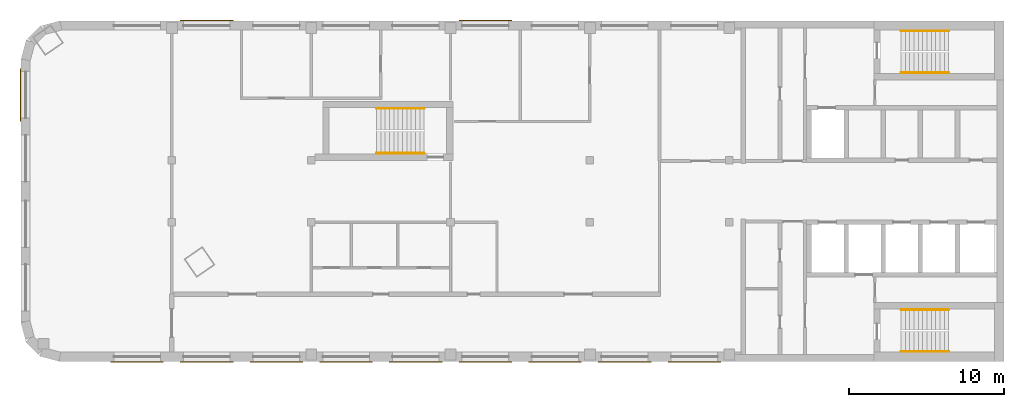
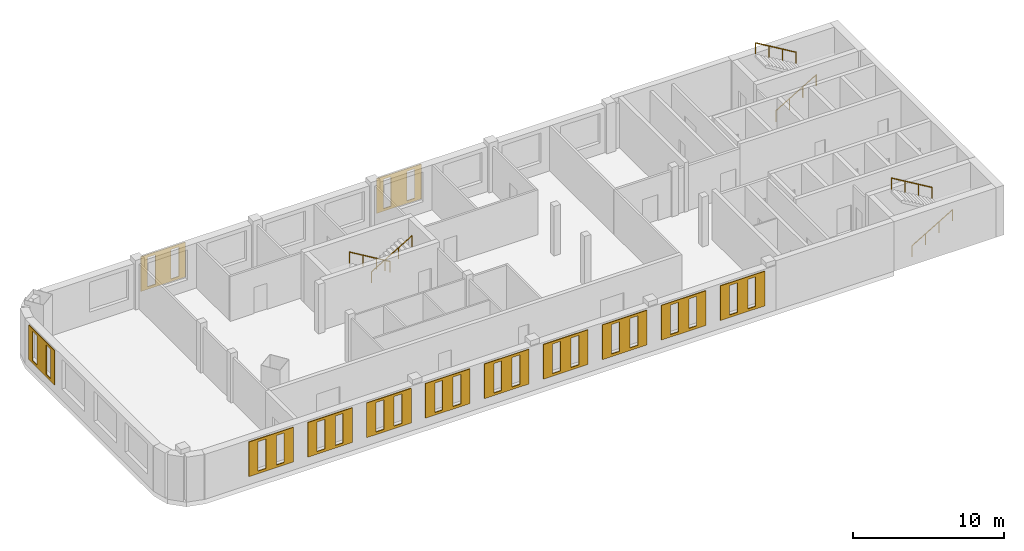
# One storey, part 5 of 5: 12 coverings, 6 railings.
"""IFC4 building model written with IfcOpenShell, lengths in metres."""

from ifc_helpers import new_model, si_unit, direction, frame, origin, origin_2d, place, context, subcontext, project, spatial, polyline, circle, outline, extrude, material, material_profile, profile_set, type_object, element, save


model = new_model("IFC4")

# Units and contexts
model_context = context("Model", 3, precision=1e-05, world=origin(), true_north=direction((0.0, 1.0)))
body_context = subcontext(model_context, "Body", "Model", "MODEL_VIEW")
ifc_project = project(units=[si_unit("LENGTHUNIT", "METRE"), si_unit("AREAUNIT", "SQUARE_METRE"), si_unit("VOLUMEUNIT", "CUBIC_METRE"), si_unit("PLANEANGLEUNIT", "RADIAN"), si_unit("MASSUNIT", "GRAM", prefix="KILO")], contexts=[model_context])

# Site, building, storey
site_placement = place(None, origin())
site = spatial("IfcSite", under=ifc_project, at=site_placement, CompositionType="ELEMENT")
building_placement = place(site_placement, origin())
building = spatial("IfcBuilding", under=site, at=building_placement, Name="Skarvind Civic Tower", CompositionType="ELEMENT")
storey_placement = place(building_placement, frame((0.0, 0.0, 257.5)))
storey = spatial("IfcBuildingStorey", under=building, at=storey_placement, Name="L61", CompositionType="ELEMENT", Elevation=257.5)

# Railings
ifc_material_1 = material(Name="Painted steel handrail", Category="steel")
railing_type = type_object("IfcRailingType", Name="Stair handrail 900", PredefinedType="HANDRAIL", material=ifc_material_1)
railing_1_placement = place(storey_placement, frame((101.35009765625, 135.64990234375, 0.166748046875)))
element("IfcRailing", 1, at=railing_1_placement, inside=storey, type_object=railing_type, Name="Stair handrail", PredefinedType="HANDRAIL", context=body_context, shape_type="SweptSolid", body=[
    extrude(circle(Radius=0.02392578125, at=origin_2d()), frame((0.0, 0.0, 0.8759765625), z_axis=(0.859290745958, 0.0, 0.51148745235), x_axis=(0.0, 1.0, 0.0)), (0.0, 0.0, 1.0), 3.584228515625),
    extrude(circle(Radius=0.02099609375, at=origin_2d()), origin(), (0.0, 0.0, 1.0), 0.851806640625),
    extrude(circle(Radius=0.02099609375, at=origin_2d()), frame((1.026611328125, 0.0, 0.611083984375)), (0.0, 0.0, 1.0), 0.851806640625),
    extrude(circle(Radius=0.02099609375, at=origin_2d()), frame((2.05322265625, 0.0, 1.22216796875)), (0.0, 0.0, 1.0), 0.851806640625),
    extrude(circle(Radius=0.02099609375, at=origin_2d()), frame((3.079833984375, 0.0, 1.833251953125)), (0.0, 0.0, 1.0), 0.851806640625),
])
railing_2_placement = place(storey_placement, frame((104.429931640625, 138.35009765625, 2.166748046875)))
element("IfcRailing", 2, at=railing_2_placement, inside=storey, type_object=railing_type, Name="Stair handrail", PredefinedType="HANDRAIL", context=body_context, shape_type="SweptSolid", body=[
    extrude(circle(Radius=0.02392578125, at=origin_2d()), frame((0.0, 0.0, 0.8759765625), z_axis=(-0.859290745958, 0.0, 0.51148745235), x_axis=(0.0, -1.0, 0.0)), (0.0, 0.0, 1.0), 3.584228515625),
    extrude(circle(Radius=0.02099609375, at=origin_2d()), origin(), (0.0, 0.0, 1.0), 0.851806640625),
    extrude(circle(Radius=0.02099609375, at=origin_2d()), frame((-1.026611328125, 0.0, 0.611083984375)), (0.0, 0.0, 1.0), 0.851806640625),
    extrude(circle(Radius=0.02099609375, at=origin_2d()), frame((-2.05322265625, 0.0, 1.22216796875)), (0.0, 0.0, 1.0), 0.851806640625),
    extrude(circle(Radius=0.02099609375, at=origin_2d()), frame((-3.079833984375, 0.0, 1.833251953125)), (0.0, 0.0, 1.0), 0.851806640625),
])
railing_3_placement = place(storey_placement, frame((101.35009765625, 117.64990234375, 0.166748046875)))
element("IfcRailing", 3, at=railing_3_placement, inside=storey, type_object=railing_type, Name="Stair handrail", PredefinedType="HANDRAIL", context=body_context, shape_type="SweptSolid", body=[
    extrude(circle(Radius=0.02392578125, at=origin_2d()), frame((0.0, 0.0, 0.8759765625), z_axis=(0.859290745958, 0.0, 0.51148745235), x_axis=(0.0, 1.0, 0.0)), (0.0, 0.0, 1.0), 3.584228515625),
    extrude(circle(Radius=0.02099609375, at=origin_2d()), origin(), (0.0, 0.0, 1.0), 0.851806640625),
    extrude(circle(Radius=0.02099609375, at=origin_2d()), frame((1.026611328125, 0.0, 0.611083984375)), (0.0, 0.0, 1.0), 0.851806640625),
    extrude(circle(Radius=0.02099609375, at=origin_2d()), frame((2.05322265625, 0.0, 1.22216796875)), (0.0, 0.0, 1.0), 0.851806640625),
    extrude(circle(Radius=0.02099609375, at=origin_2d()), frame((3.079833984375, 0.0, 1.833251953125)), (0.0, 0.0, 1.0), 0.851806640625),
])
railing_4_placement = place(storey_placement, frame((104.429931640625, 120.35009765625, 2.166748046875)))
element("IfcRailing", 4, at=railing_4_placement, inside=storey, type_object=railing_type, Name="Stair handrail", PredefinedType="HANDRAIL", context=body_context, shape_type="SweptSolid", body=[
    extrude(circle(Radius=0.02392578125, at=origin_2d()), frame((0.0, 0.0, 0.8759765625), z_axis=(-0.859290745958, 0.0, 0.51148745235), x_axis=(0.0, -1.0, 0.0)), (0.0, 0.0, 1.0), 3.584228515625),
    extrude(circle(Radius=0.02099609375, at=origin_2d()), origin(), (0.0, 0.0, 1.0), 0.851806640625),
    extrude(circle(Radius=0.02099609375, at=origin_2d()), frame((-1.026611328125, 0.0, 0.611083984375)), (0.0, 0.0, 1.0), 0.851806640625),
    extrude(circle(Radius=0.02099609375, at=origin_2d()), frame((-2.05322265625, 0.0, 1.22216796875)), (0.0, 0.0, 1.0), 0.851806640625),
    extrude(circle(Radius=0.02099609375, at=origin_2d()), frame((-3.079833984375, 0.0, 1.833251953125)), (0.0, 0.0, 1.0), 0.851806640625),
])
railing_5_placement = place(storey_placement, frame((70.550048828125, 133.35009765625, 0.166748046875)))
element("IfcRailing", 5, at=railing_5_placement, inside=storey, type_object=railing_type, Name="Stair handrail", PredefinedType="HANDRAIL", context=body_context, shape_type="SweptSolid", body=[
    extrude(circle(Radius=0.02392578125, at=origin_2d()), frame((0.0, 0.0, 0.8759765625), z_axis=(-0.859308565015, 0.0, 0.511457515432), x_axis=(0.0, -1.0, 0.0)), (0.0, 0.0, 1.0), 3.58447265625),
    extrude(circle(Radius=0.02099609375, at=origin_2d()), origin(), (0.0, 0.0, 1.0), 0.851806640625),
    extrude(circle(Radius=0.02099609375, at=origin_2d()), frame((-1.026611328125, 0.0, 0.611083984375)), (0.0, 0.0, 1.0), 0.851806640625),
    extrude(circle(Radius=0.02099609375, at=origin_2d()), frame((-2.053466796875, 0.0, 1.22216796875)), (0.0, 0.0, 1.0), 0.851806640625),
    extrude(circle(Radius=0.02099609375, at=origin_2d()), frame((-3.080078125, 0.0, 1.833251953125)), (0.0, 0.0, 1.0), 0.851806640625),
])
railing_6_placement = place(storey_placement, frame((67.469970703125, 130.449951171875, 2.166748046875)))
element("IfcRailing", 6, at=railing_6_placement, inside=storey, type_object=railing_type, Name="Stair handrail", PredefinedType="HANDRAIL", context=body_context, shape_type="SweptSolid", body=[
    extrude(circle(Radius=0.02392578125, at=origin_2d()), frame((0.0, 0.0, 0.8759765625), z_axis=(0.859308565015, 0.0, 0.511457515432), x_axis=(0.0, 1.0, 0.0)), (0.0, 0.0, 1.0), 3.58447265625),
    extrude(circle(Radius=0.02099609375, at=origin_2d()), origin(), (0.0, 0.0, 1.0), 0.851806640625),
    extrude(circle(Radius=0.02099609375, at=origin_2d()), frame((1.026611328125, 0.0, 0.611083984375)), (0.0, 0.0, 1.0), 0.851806640625),
    extrude(circle(Radius=0.02099609375, at=origin_2d()), frame((2.053466796875, 0.0, 1.22216796875)), (0.0, 0.0, 1.0), 0.851806640625),
    extrude(circle(Radius=0.02099609375, at=origin_2d()), frame((3.080078125, 0.0, 1.833251953125)), (0.0, 0.0, 1.0), 0.851806640625),
])

# Coverings
ifc_material_2 = material(Name="Terracotta", Category="masonry")
ifc_material_profile_1 = material_profile(ifc_material_2, outline(polyline([(-1.699951171875, -1.39990234375), (1.699951171875, -1.39990234375), (1.699951171875, 1.39990234375), (-1.699951171875, 1.39990234375), (-1.699951171875, -1.39990234375)]), holes=[polyline([(-1.0, -1.18994140625), (-0.39990234375, -1.18994140625), (-0.39990234375, 1.18994140625), (-1.0, 1.18994140625), (-1.0, -1.18994140625)]), polyline([(0.39990234375, -1.18994140625), (1.0, -1.18994140625), (1.0, 1.18994140625), (0.39990234375, 1.18994140625), (0.39990234375, -1.18994140625)])]), Name="TERRACOTTA SCREEN 3400 x 2800, SLIT PITCH 1400")
ifc_profile_set_1 = profile_set([ifc_material_profile_1], Name="Terracotta")
covering_type_1 = type_object("IfcCoveringType", Name="TERRACOTTA SCREEN 3400 x 2800, SLIT PITCH 1400", PredefinedType="CLADDING", material=ifc_profile_set_1)
for number, where, z_axis, x_axis, name in (
    (7, (88.0, 117.0, 2.10009765625), (0.0, -1.0, 0.0), (1.0, 0.0, 0.0), "TERRACOTTA SCREEN"),
    (8, (83.5, 117.0, 2.10009765625), (0.0, -1.0, 0.0), (1.0, 0.0, 0.0), "TERRACOTTA SCREEN"),
    (9, (79.0, 117.0, 2.10009765625), (0.0, -1.0, 0.0), (1.0, 0.0, 0.0), "TERRACOTTA SCREEN"),
    (10, (74.5, 117.0, 2.10009765625), (0.0, -1.0, 0.0), (1.0, 0.0, 0.0), "TERRACOTTA SCREEN"),
    (11, (70.0, 117.0, 2.10009765625), (0.0, -1.0, 0.0), (1.0, 0.0, 0.0), "TERRACOTTA SCREEN"),
    (12, (65.5, 117.0, 2.10009765625), (0.0, -1.0, 0.0), (1.0, 0.0, 0.0), "TERRACOTTA SCREEN"),
    (13, (61.0, 117.0, 2.10009765625), (0.0, -1.0, 0.0), (1.0, 0.0, 0.0), "TERRACOTTA SCREEN"),
    (14, (56.5, 117.0, 2.10009765625), (0.0, -1.0, 0.0), (1.0, 0.0, 0.0), "TERRACOTTA SCREEN"),
    (15, (52.0, 117.0, 2.10009765625), (0.0, -1.0, 0.0), (1.0, 0.0, 0.0), "TERRACOTTA SCREEN"),
):
    element("IfcCovering", number, at=place(storey_placement, frame(where, z_axis=z_axis, x_axis=x_axis)), inside=storey, type_object=covering_type_1, Name=name, PredefinedType="CLADDING", context=body_context, shape_type="SweptSolid", body=[
        extrude(outline(polyline([(-1.699951171875, -1.39990234375), (1.699951171875, -1.39990234375), (1.699951171875, 1.39990234375), (-1.699951171875, 1.39990234375), (-1.699951171875, -1.39990234375)]), holes=[polyline([(-1.0, -1.18994140625), (-0.39990234375, -1.18994140625), (-0.39990234375, 1.18994140625), (-1.0, 1.18994140625), (-1.0, -1.18994140625)]), polyline([(0.39990234375, -1.18994140625), (1.0, -1.18994140625), (1.0, 1.18994140625), (0.39990234375, 1.18994140625), (0.39990234375, -1.18994140625)])]), origin(), (0.0, 0.0, 1.0), 0.06005859375),
    ])
ifc_material_profile_2 = material_profile(ifc_material_2, outline(polyline([(-1.699951171875, -1.39990234375), (1.699951171875, -1.39990234375), (1.699951171875, 1.39990234375), (-1.699951171875, 1.39990234375), (-1.699951171875, -1.39990234375)]), holes=[polyline([(-1.199951171875, -1.18994140625), (-0.60009765625, -1.18994140625), (-0.60009765625, 1.18994140625), (-1.199951171875, 1.18994140625), (-1.199951171875, -1.18994140625)]), polyline([(0.60009765625, -1.18994140625), (1.199951171875, -1.18994140625), (1.199951171875, 1.18994140625), (0.60009765625, 1.18994140625), (0.60009765625, -1.18994140625)])]), Name="TERRACOTTA SCREEN 3400 x 2800, SLIT PITCH 1800")
ifc_profile_set_2 = profile_set([ifc_material_profile_2], Name="Terracotta")
covering_type_2 = type_object("IfcCoveringType", Name="TERRACOTTA SCREEN 3400 x 2800, SLIT PITCH 1800", PredefinedType="CLADDING", material=ifc_profile_set_2)
for number, where, z_axis, x_axis, name in (
    (16, (56.5, 139.0, 2.10009765625), (0.0, 1.0, 0.0), (-1.0, 0.0, 0.0), "TERRACOTTA SCREEN"),
    (17, (74.5, 139.0, 2.10009765625), (0.0, 1.0, 0.0), (-1.0, 0.0, 0.0), "TERRACOTTA SCREEN"),
    (18, (44.5, 134.22509765625, 2.10009765625), (-1.0, 0.0, 0.0), (0.0, -1.0, 0.0), "TERRACOTTA SCREEN"),
):
    element("IfcCovering", number, at=place(storey_placement, frame(where, z_axis=z_axis, x_axis=x_axis)), inside=storey, type_object=covering_type_2, Name=name, PredefinedType="CLADDING", context=body_context, shape_type="SweptSolid", body=[
        extrude(outline(polyline([(-1.699951171875, -1.39990234375), (1.699951171875, -1.39990234375), (1.699951171875, 1.39990234375), (-1.699951171875, 1.39990234375), (-1.699951171875, -1.39990234375)]), holes=[polyline([(-1.199951171875, -1.18994140625), (-0.60009765625, -1.18994140625), (-0.60009765625, 1.18994140625), (-1.199951171875, 1.18994140625), (-1.199951171875, -1.18994140625)]), polyline([(0.60009765625, -1.18994140625), (1.199951171875, -1.18994140625), (1.199951171875, 1.18994140625), (0.60009765625, 1.18994140625), (0.60009765625, -1.18994140625)])]), origin(), (0.0, 0.0, 1.0), 0.06005859375),
    ])

save(model, "model.ifc")
